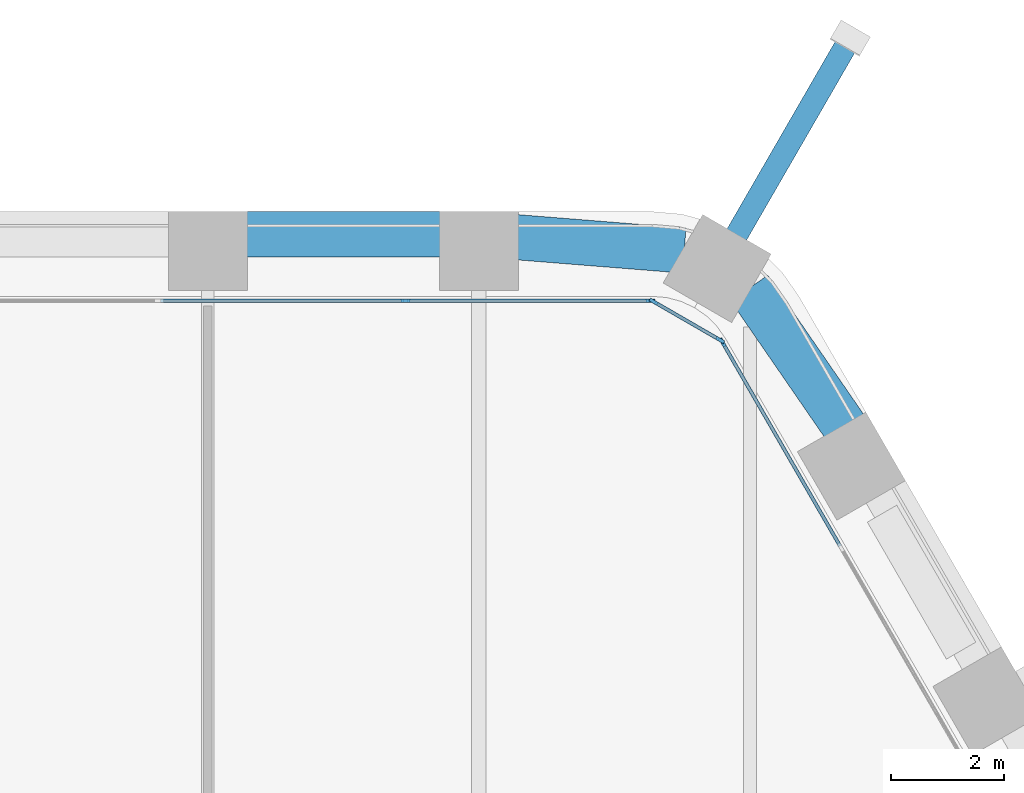
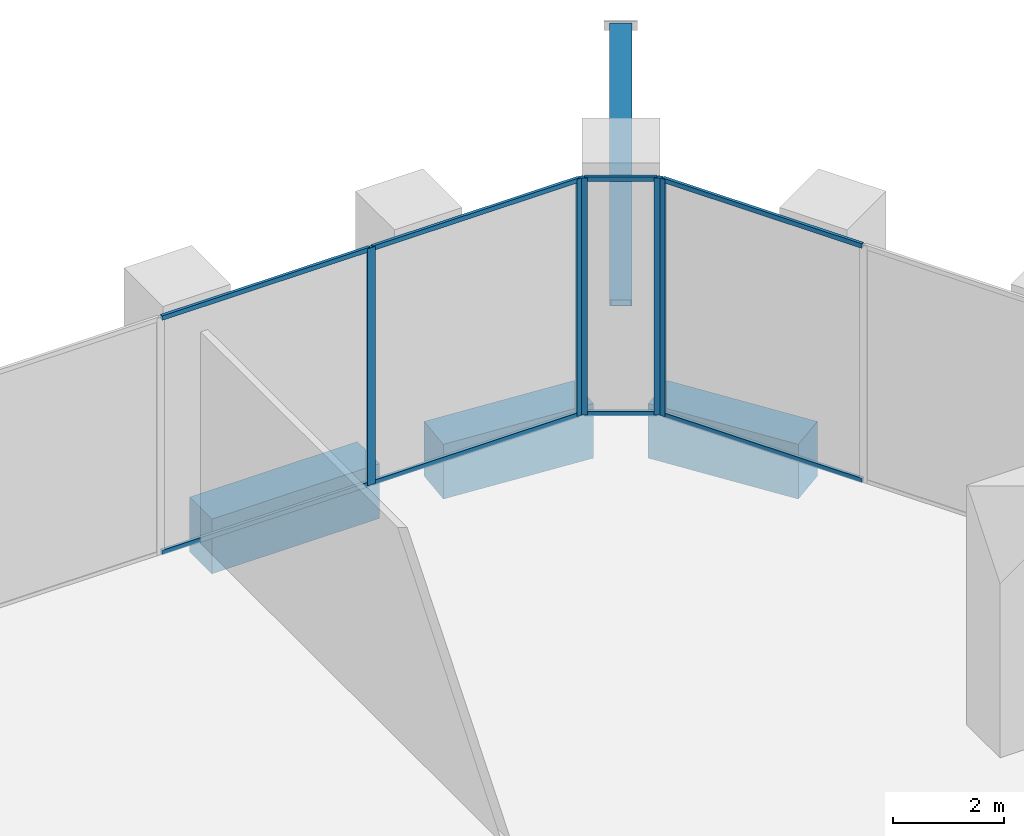
# One storey, part 15 of 29: 14 members, 3 beams, 3 elements without a shape of their own.
"""IFC4 building model written with IfcOpenShell, lengths in metres."""

from ifc_helpers import new_model, si_unit, direction, frame, origin, origin_2d, place, context, subcontext, project, spatial, rectangle, hollow_rectangle, extrude, material, material_profile, profile_set, type_object, element, aggregate, save


model = new_model("IFC4")

# Units and contexts
model_context = context("Model", 3, precision=1e-05, world=origin(), true_north=direction((0.0, 1.0)))
body_context = subcontext(model_context, "Body", "Model", "MODEL_VIEW")
ifc_project = project(units=[si_unit("LENGTHUNIT", "METRE"), si_unit("AREAUNIT", "SQUARE_METRE"), si_unit("VOLUMEUNIT", "CUBIC_METRE"), si_unit("PLANEANGLEUNIT", "RADIAN"), si_unit("MASSUNIT", "GRAM", prefix="KILO")], contexts=[model_context])

# Site, building, storey
site_placement = place(None, origin())
site = spatial("IfcSite", under=ifc_project, at=site_placement, CompositionType="ELEMENT")
building_placement = place(site_placement, origin())
building = spatial("IfcBuilding", under=site, at=building_placement, Name="Kolab Exchange Tower", CompositionType="ELEMENT")
storey_placement = place(building_placement, frame((0.0, 0.0, 55.39990234375)))
storey = spatial("IfcBuildingStorey", under=building, at=storey_placement, Name="L10", CompositionType="ELEMENT", Elevation=55.39990234375)

# Member
ifc_material_1 = material(Name="Steel S355", Category="steel")
ifc_material_profile_1 = material_profile(ifc_material_1, hollow_rectangle(XDim=0.39990234375, YDim=0.39990234375, WallThickness=0.02001953125, at=origin_2d()), Name="HSS400X400X20")
ifc_profile_set_1 = profile_set([ifc_material_profile_1], Name="Steel S355")
member_type_1 = type_object("IfcMemberType", Name="LEDGE STRUT HSS400X400X20", PredefinedType="STRUT", material=ifc_profile_set_1)
member_1_placement = place(storey_placement, frame((18.947998046875, 32.81884765625, 1.22802734375), z_axis=(0.39005913672, 0.675602790468, 0.625631472493), x_axis=(-0.866025579307, 0.499999695987, 0.0)))
element("IfcMember", 1, at=member_1_placement, inside=storey, type_object=member_type_1, Name="mem/L10/ledge/strut-0", PredefinedType="STRUT", context=body_context, shape_type="SweptSolid", body=[
    extrude(hollow_rectangle(XDim=0.39990234375, YDim=0.39990234375, WallThickness=0.02001953125, at=origin_2d()), origin(), (0.0, 0.0, 1.0), 5.1787109375),
])

# Beams
ifc_material_2 = material(Name="Concrete C80/95", Category="concrete")
ifc_material_profile_2 = material_profile(ifc_material_2, rectangle(XDim=0.800048828125, YDim=1.199951171875, at=origin_2d()), Name="RC800X1200")
ifc_profile_set_2 = profile_set([ifc_material_profile_2], Name="Concrete C80/95")
beam_type = type_object("IfcBeamType", Name="SPANDREL BEAM 800X1200 C80/95", PredefinedType="BEAM", material=ifc_profile_set_2)
beam_1_placement = place(storey_placement, frame((10.260009765625, 32.85546875, -0.849853515625), z_axis=(1.0, 0.0, 0.0), x_axis=(0.0, 1.0, 0.0)))
element("IfcBeam", 2, at=beam_1_placement, inside=storey, type_object=beam_type, Name="beam/L10/sp/F1-07", PredefinedType="BEAM", context=body_context, shape_type="SweptSolid", body=[
    extrude(rectangle(XDim=0.800048828125, YDim=1.199951171875, at=origin_2d()), origin(), (0.0, 0.0, 1.0), 3.47998046875),
])
beam_2_placement = place(storey_placement, frame((15.06005859375, 32.802734375, -0.849853515625), z_axis=(0.996833978278, -0.07951112973, 0.0), x_axis=(0.07951112973, 0.996833978278, 0.0)))
element("IfcBeam", 3, at=beam_2_placement, inside=storey, type_object=beam_type, Name="beam/L10/sp/F1-08", PredefinedType="BEAM", context=body_context, shape_type="SweptSolid", body=[
    extrude(rectangle(XDim=0.800048828125, YDim=1.199951171875, at=origin_2d()), origin(), (0.0, 0.0, 1.0), 2.984619140625),
])
beam_3_placement = place(storey_placement, frame((19.18505859375, 31.901611328125, -0.849853515625), z_axis=(0.567247290755, -0.823547516013, 0.0), x_axis=(0.823547516013, 0.567247290755, 0.0)))
element("IfcBeam", 4, at=beam_3_placement, inside=storey, type_object=beam_type, Name="beam/L10/sp/F2-01", PredefinedType="BEAM", context=body_context, shape_type="SweptSolid", body=[
    extrude(rectangle(XDim=0.800048828125, YDim=1.199951171875, at=origin_2d()), origin(), (0.0, 0.0, 1.0), 2.984375),
])

# Curtain wall, members
ifc_material_3 = material(Name="Aluminium EN AW-6063 T6", Category="aluminium")
curtain_wall_type = type_object("IfcCurtainWallType", Name="UNITISED LOW ZONE CURTAIN WALL", PredefinedType="NOTDEFINED", material=ifc_material_3)
curtain_wall_1_placement = place(storey_placement, origin())
curtain_wall_1 = element("IfcCurtainWall", 5, at=curtain_wall_1_placement, inside=storey, type_object=curtain_wall_type, Name="cw/L10/F1-2", PredefinedType="NOTDEFINED")
ifc_material_profile_3 = material_profile(ifc_material_3, rectangle(XDim=0.06005859375, YDim=0.159912109375, at=origin_2d()), Name="RECT 60X160")
ifc_profile_set_3 = profile_set([ifc_material_profile_3], Name="Aluminium EN AW-6063 T6")
member_type_2 = type_object("IfcMemberType", Name="UNITISED LOW ZONE MULLION 60 X 160", PredefinedType="MULLION", material=ifc_profile_set_3)
member_2_placement = place(storey_placement, frame((13.10107421875, 31.67529296875, 0.0), z_axis=(0.0, 0.0, 1.0), x_axis=(0.0, 1.0, 0.0)))
member_2 = element("IfcMember", 6, at=member_2_placement, type_object=member_type_2, Name="CW1 mullion 4", PredefinedType="MULLION", context=body_context, shape_type="SweptSolid", body=[
    extrude(rectangle(XDim=0.06005859375, YDim=0.159912109375, at=origin_2d()), origin(), (0.0, 0.0, 1.0), 5.2001953125),
])
member_3_placement = place(storey_placement, frame((17.43798828125, 31.67529296875, 0.0), z_axis=(0.0, 0.0, 1.0), x_axis=(0.0, 1.0, 0.0)))
member_3 = element("IfcMember", 7, at=member_3_placement, type_object=member_type_2, Name="CW1 mullion 5", PredefinedType="MULLION", context=body_context, shape_type="SweptSolid", body=[
    extrude(rectangle(XDim=0.06005859375, YDim=0.159912109375, at=origin_2d()), origin(), (0.0, 0.0, 1.0), 5.2001953125),
])

# Curtain wall, member
curtain_wall_2_placement = place(storey_placement, origin())
curtain_wall_2 = element("IfcCurtainWall", 8, at=curtain_wall_2_placement, inside=storey, type_object=curtain_wall_type, Name="cw/L10/F2-1", PredefinedType="NOTDEFINED")
member_4_placement = place(storey_placement, frame((18.712646484375, 30.939453125, 0.0), z_axis=(0.0, 0.0, 1.0), x_axis=(0.866025393644, 0.500000017564, 0.0)))
member_4 = element("IfcMember", 9, at=member_4_placement, type_object=member_type_2, Name="CW1 mullion 1", PredefinedType="MULLION", context=body_context, shape_type="SweptSolid", body=[
    extrude(rectangle(XDim=0.06005859375, YDim=0.159912109375, at=origin_2d()), origin(), (0.0, 0.0, 1.0), 5.2001953125),
])

# Curtain wall, members
curtain_wall_3_placement = place(storey_placement, origin())
curtain_wall_3 = element("IfcCurtainWall", 10, at=curtain_wall_3_placement, inside=storey, type_object=curtain_wall_type, Name="cw/L10/F1F2-corner", PredefinedType="NOTDEFINED")
member_5_placement = place(storey_placement, frame((17.493896484375, 31.660400390625, 0.0), z_axis=(0.0, 0.0, 1.0), x_axis=(0.50000002237, 0.866025390869, 0.0)))
member_5 = element("IfcMember", 11, at=member_5_placement, type_object=member_type_2, Name="CW1 mullion 1", PredefinedType="MULLION", context=body_context, shape_type="SweptSolid", body=[
    extrude(rectangle(XDim=0.06005859375, YDim=0.159912109375, at=origin_2d()), origin(), (0.0, 0.0, 1.0), 5.2001953125),
])
member_6_placement = place(storey_placement, frame((18.671630859375, 30.98046875, 0.0), z_axis=(0.0, 0.0, 1.0), x_axis=(0.50000002237, 0.866025390869, 0.0)))
member_6 = element("IfcMember", 12, at=member_6_placement, type_object=member_type_2, Name="CW1 mullion 2", PredefinedType="MULLION", context=body_context, shape_type="SweptSolid", body=[
    extrude(rectangle(XDim=0.06005859375, YDim=0.159912109375, at=origin_2d()), origin(), (0.0, 0.0, 1.0), 5.2001953125),
])

# Member
ifc_material_profile_4 = material_profile(ifc_material_3, rectangle(XDim=0.06005859375, YDim=0.10009765625, at=origin_2d()), Name="RECT 60X100")
ifc_profile_set_4 = profile_set([ifc_material_profile_4], Name="Aluminium EN AW-6063 T6")
member_type_3 = type_object("IfcMemberType", Name="UNITISED LOW ZONE TRANSOM 60 X 100", PredefinedType="USERDEFINED", material=ifc_profile_set_4)
member_7_placement = place(storey_placement, frame((8.763916015625, 31.67529296875, 0.030029296875), z_axis=(1.0, 0.0, 0.0), x_axis=(0.0, 1.0, 0.0)))
member_7 = element("IfcMember", 13, at=member_7_placement, type_object=member_type_3, Name="CW1 transom 3.1", ObjectType="TRANSOM", PredefinedType="USERDEFINED", context=body_context, shape_type="SweptSolid", body=[
    extrude(rectangle(XDim=0.06005859375, YDim=0.10009765625, at=origin_2d()), origin(), (0.0, 0.0, 1.0), 4.30712890625),
])

member_8_placement = place(storey_placement, frame((8.763916015625, 31.67529296875, 5.170166015625), z_axis=(1.0, 0.0, 0.0), x_axis=(0.0, 1.0, 0.0)))
member_8 = element("IfcMember", 14, at=member_8_placement, type_object=member_type_3, Name="CW1 transom 3.2", ObjectType="TRANSOM", PredefinedType="USERDEFINED", context=body_context, shape_type="SweptSolid", body=[
    extrude(rectangle(XDim=0.06005859375, YDim=0.10009765625, at=origin_2d()), origin(), (0.0, 0.0, 1.0), 4.30712890625),
])

member_9_placement = place(storey_placement, frame((13.130859375, 31.67529296875, 0.030029296875), z_axis=(1.0, 0.0, 0.0), x_axis=(0.0, 1.0, 0.0)))
member_9 = element("IfcMember", 15, at=member_9_placement, type_object=member_type_3, Name="CW1 transom 4.1", ObjectType="TRANSOM", PredefinedType="USERDEFINED", context=body_context, shape_type="SweptSolid", body=[
    extrude(rectangle(XDim=0.06005859375, YDim=0.10009765625, at=origin_2d()), origin(), (0.0, 0.0, 1.0), 4.277099609375),
])

member_10_placement = place(storey_placement, frame((13.130859375, 31.67529296875, 5.170166015625), z_axis=(1.0, 0.0, 0.0), x_axis=(0.0, 1.0, 0.0)))
member_10 = element("IfcMember", 16, at=member_10_placement, type_object=member_type_3, Name="CW1 transom 4.2", ObjectType="TRANSOM", PredefinedType="USERDEFINED", context=body_context, shape_type="SweptSolid", body=[
    extrude(rectangle(XDim=0.06005859375, YDim=0.10009765625, at=origin_2d()), origin(), (0.0, 0.0, 1.0), 4.277099609375),
])

aggregate(curtain_wall_1, [member_2, member_3, member_7, member_8, member_9, member_10])

member_11_placement = place(storey_placement, frame((18.727783203125, 30.913330078125, 0.030029296875), z_axis=(0.499983268986, -0.866035063224, 0.0), x_axis=(0.866035063224, 0.499983268986, 0.0)))
member_11 = element("IfcMember", 17, at=member_11_placement, type_object=member_type_3, Name="CW1 transom 1.1", ObjectType="TRANSOM", PredefinedType="USERDEFINED", context=body_context, shape_type="SweptSolid", body=[
    extrude(rectangle(XDim=0.06005859375, YDim=0.10009765625, at=origin_2d()), origin(), (0.0, 0.0, 1.0), 4.132568359375),
])

member_12_placement = place(storey_placement, frame((18.727783203125, 30.913330078125, 5.170166015625), z_axis=(0.499983268986, -0.866035063224, 0.0), x_axis=(0.866035063224, 0.499983268986, 0.0)))
member_12 = element("IfcMember", 18, at=member_12_placement, type_object=member_type_3, Name="CW1 transom 1.2", ObjectType="TRANSOM", PredefinedType="USERDEFINED", context=body_context, shape_type="SweptSolid", body=[
    extrude(rectangle(XDim=0.06005859375, YDim=0.10009765625, at=origin_2d()), origin(), (0.0, 0.0, 1.0), 4.132568359375),
])

aggregate(curtain_wall_2, [member_4, member_11, member_12])

member_13_placement = place(storey_placement, frame((17.52001953125, 31.645263671875, 0.030029296875), z_axis=(0.86603858612, -0.49997716683, 0.0), x_axis=(0.49997716683, 0.86603858612, 0.0)))
member_13 = element("IfcMember", 19, at=member_13_placement, type_object=member_type_3, Name="CW1 transom 1.1", ObjectType="TRANSOM", PredefinedType="USERDEFINED", context=body_context, shape_type="SweptSolid", body=[
    extrude(rectangle(XDim=0.06005859375, YDim=0.10009765625, at=origin_2d()), origin(), (0.0, 0.0, 1.0), 1.2998046875),
])

member_14_placement = place(storey_placement, frame((17.52001953125, 31.645263671875, 5.170166015625), z_axis=(0.86603858612, -0.49997716683, 0.0), x_axis=(0.49997716683, 0.86603858612, 0.0)))
member_14 = element("IfcMember", 20, at=member_14_placement, type_object=member_type_3, Name="CW1 transom 1.2", ObjectType="TRANSOM", PredefinedType="USERDEFINED", context=body_context, shape_type="SweptSolid", body=[
    extrude(rectangle(XDim=0.06005859375, YDim=0.10009765625, at=origin_2d()), origin(), (0.0, 0.0, 1.0), 1.2998046875),
])

aggregate(curtain_wall_3, [member_5, member_6, member_13, member_14])

save(model, "model.ifc")
